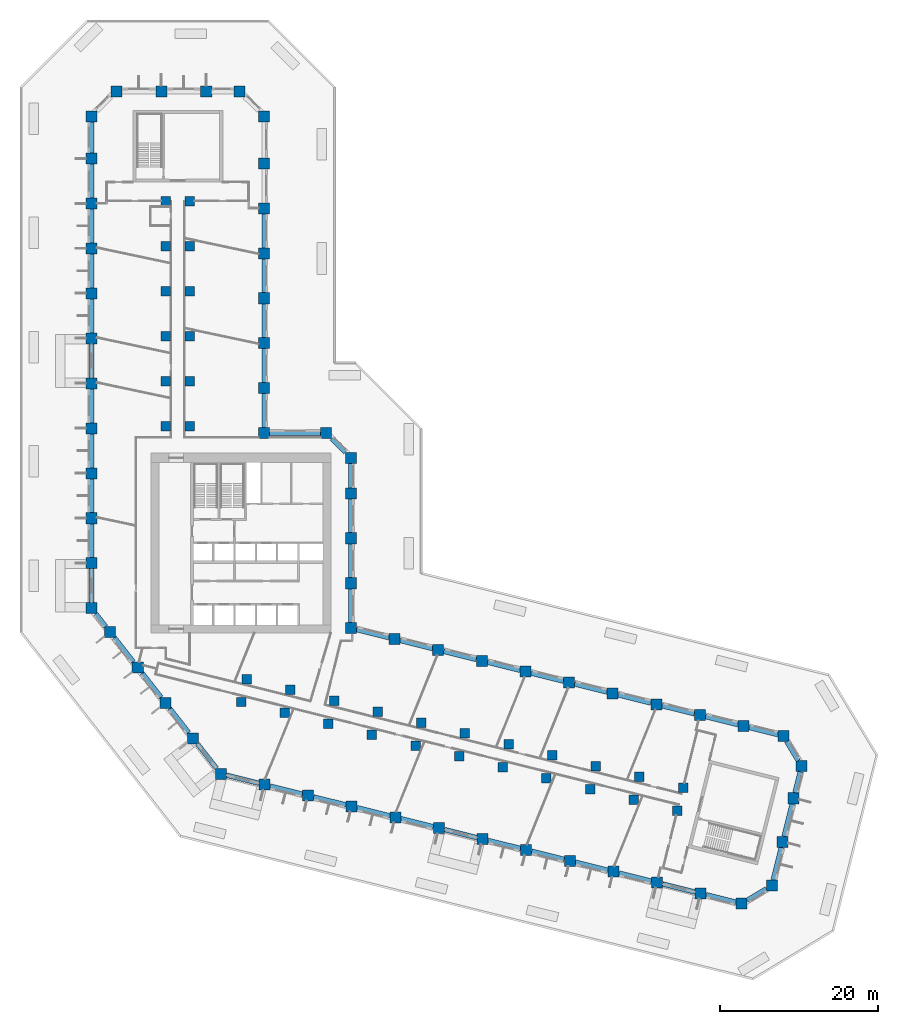
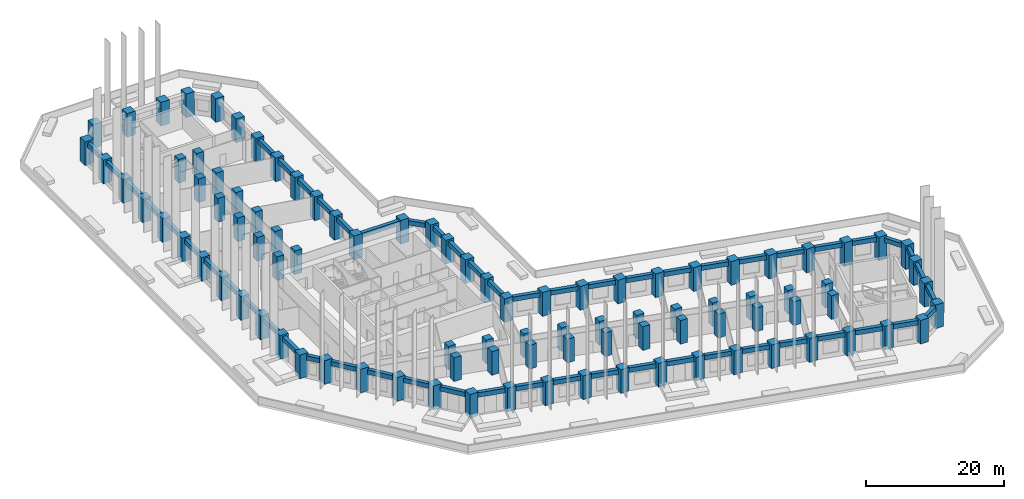
# One storey, part 1 of 13: 95 columns, 54 beams.
"""IFC4 building model written with IfcOpenShell, lengths in metres."""

import ifcopenshell
import ifcopenshell.guid

model = None  # the IFC model being written
_history = None  # IfcOwnerHistory: only IFC2X3 demands one
_inside = {}  # id of a spatial element -> (the spatial element, [elements in it])
_under = {}  # id of a project, library or spatial element -> (it, [spatial elements below it])
_declared = {}  # id of a project -> (the project, [libraries it declares])
_typed = {}  # id of a type object -> (the type object, [elements of that type])
_made_of = {}  # id of a material, layer set ... -> (it, [elements and type objects made of it])


def new_model(schema):
    """Start an empty IFC model of exactly this schema.

    Asked for "IFC4X3", IfcOpenShell would pick the latest addendum, in which some entities
    have other attributes; the version numbers below select the first issue.
    IFC2X3 requires an IfcOwnerHistory on every rooted entity: one is made here for all.
    """
    global model, _history
    if schema == "IFC4X3":
        model = ifcopenshell.file(schema_version=(4, 3, 0, 0))
    else:
        model = ifcopenshell.file(schema=schema)
    _inside.clear()
    _under.clear()
    _declared.clear()
    _typed.clear()
    _made_of.clear()
    _history = None
    if model.schema == "IFC2X3":
        org = make("IfcOrganization", Name="unknown")
        user = make(
            "IfcPersonAndOrganization",
            ThePerson=make("IfcPerson", FamilyName="unknown"),
            TheOrganization=org,
        )
        app = make(
            "IfcApplication",
            ApplicationDeveloper=org,
            Version="unknown",
            ApplicationFullName="unknown",
            ApplicationIdentifier="unknown",
        )
        _history = make(
            "IfcOwnerHistory",
            OwningUser=user,
            OwningApplication=app,
            ChangeAction="ADDED",
            CreationDate=0,
        )
    return model


def make(cls, **values):
    """One entity of the class cls with the attributes given. An attribute that is None is left unset."""
    return model.create_entity(
        cls, **{name: value for name, value in values.items() if value is not None}
    )


def rooted(cls, **values):
    """An entity with a GlobalId (a new one), such as an element, a storey or a relation."""
    return make(cls, GlobalId=ifcopenshell.guid.new(), OwnerHistory=_history, **values)


def si_unit(unit_type, name, prefix=None):
    """IfcSIUnit, for example si_unit("LENGTHUNIT", "METRE", prefix="MILLI")."""
    return make("IfcSIUnit", UnitType=unit_type, Prefix=prefix, Name=name)


def assignment(units):
    """IfcUnitAssignment: the units of a project."""
    return None if units is None else make("IfcUnitAssignment", Units=units)


def point(xyz):
    """IfcCartesianPoint."""
    return None if xyz is None else make("IfcCartesianPoint", Coordinates=xyz)


def direction(xyz):
    """IfcDirection."""
    return None if xyz is None else make("IfcDirection", DirectionRatios=xyz)


def frame(location, z_axis=None, x_axis=None):
    """IfcAxis2Placement3D, a coordinate frame: its origin and axes. An axis left out is left unset."""
    return make(
        "IfcAxis2Placement3D",
        Location=point(location),
        Axis=direction(z_axis),
        RefDirection=direction(x_axis),
    )


def frame_2d(location, x_axis=None):
    """IfcAxis2Placement2D, a coordinate frame in the plane: its origin and x axis."""
    return make(
        "IfcAxis2Placement2D", Location=point(location), RefDirection=direction(x_axis)
    )


def origin():
    """The frame at (0, 0, 0) with its axes left unset."""
    return frame((0.0, 0.0, 0.0))


def origin_2d():
    """The frame at (0, 0) in the plane with its x axis left unset."""
    return frame_2d((0.0, 0.0))


def place(relative_to, where):
    """IfcLocalPlacement: puts the frame where relative to a parent placement (None: the world)."""
    return make(
        "IfcLocalPlacement", PlacementRelTo=relative_to, RelativePlacement=where
    )


def context(
    kind, dimensions, precision=None, world=None, true_north=None, identifier=None
):
    """IfcGeometricRepresentationContext, for example the 3D "Model" context."""
    return make(
        "IfcGeometricRepresentationContext",
        ContextIdentifier=identifier,
        ContextType=kind,
        CoordinateSpaceDimension=dimensions,
        Precision=precision,
        WorldCoordinateSystem=world,
        TrueNorth=true_north,
    )


def subcontext(parent, identifier, kind, view, scale=None):
    """IfcGeometricRepresentationSubContext, for example "Body" below "Model"."""
    return make(
        "IfcGeometricRepresentationSubContext",
        ContextIdentifier=identifier,
        ContextType=kind,
        ParentContext=parent,
        TargetScale=scale,
        TargetView=view,
    )


def project(units=None, contexts=None):
    """IfcProject with its units and contexts."""
    return rooted(
        "IfcProject",
        Name="project",
        RepresentationContexts=contexts,
        UnitsInContext=assignment(units),
    )


def spatial(cls, under=None, at=None, **own):
    """A site, building, storey or space (cls), placed at a placement, below another one or the project."""
    s = rooted(cls, ObjectPlacement=at, **own)
    if under is not None:
        _under.setdefault(under.id(), (under, []))[1].append(s)
    return s


def profile(cls, at=None, kind="AREA", **sizes):
    """A parametric profile (cls). Its sizes go by their IFC names, for example OverallWidth=200.0."""
    return make(cls, ProfileType=kind, Position=at, **sizes)


def rectangle(**sizes):
    """IfcRectangleProfileDef."""
    return profile("IfcRectangleProfileDef", **sizes)


def extrude(swept, where, along, depth):
    """IfcExtrudedAreaSolid: the profile swept, set in the frame where, extruded along a direction by depth."""
    return make(
        "IfcExtrudedAreaSolid",
        SweptArea=swept,
        Position=where,
        ExtrudedDirection=direction(along),
        Depth=depth,
    )


def shape(context_of_items, identifier, shape_type, items):
    """IfcShapeRepresentation: the items that make up one representation, for example the "Body"."""
    return make(
        "IfcShapeRepresentation",
        ContextOfItems=context_of_items,
        RepresentationIdentifier=identifier,
        RepresentationType=shape_type,
        Items=items,
    )


def material(Name=None, Category=None):
    """IfcMaterial."""
    return make("IfcMaterial", Name=Name, Category=Category)


def material_profile(
    of_material, cross_section, Name=None, Category=None, Priority=None
):
    """IfcMaterialProfile: a cross section and its material."""
    return make(
        "IfcMaterialProfile",
        Name=Name,
        Material=of_material,
        Profile=cross_section,
        Priority=Priority,
        Category=Category,
    )


def profile_set(profiles, Name=None, composite=None):
    """IfcMaterialProfileSet."""
    return make(
        "IfcMaterialProfileSet",
        Name=Name,
        MaterialProfiles=profiles,
        CompositeProfile=composite,
    )


def made_of(thing, what):
    """Note that an element or type object is made of a material, layer set ...; save() writes the relation."""
    if what is not None:
        _made_of.setdefault(what.id(), (what, []))[1].append(thing)
    return thing


def type_object(cls, material=None, **own):
    """A type object (cls), such as IfcWallType, which elements share."""
    return made_of(rooted(cls, **own), material)


def element(
    cls,
    number,
    at=None,
    inside=None,
    cuts=None,
    type_object=None,
    material=None,
    context=None,
    identifier="Body",
    shape_type=None,
    held_by="IfcProductDefinitionShape",
    body=None,
    shapes=None,
    **own,
):
    """One element of the class cls, such as IfcWall. Its Tag is "e" and its number.

    at: its placement. inside: the storey or other place that contains it. cuts: it is an
    opening in that element (IfcRelVoidsElement). A single representation is given by context,
    identifier, shape_type and body (its items); several are given by shapes. held_by: the class
    of the entity that holds the representations. save() writes the other relations.
    """
    e = rooted(cls, Tag="e%d" % number, ObjectPlacement=at, **own)
    if body is not None:
        shapes = [shape(context, identifier, shape_type, body)]
    if shapes is not None:
        e.Representation = make(held_by, Representations=shapes)
    if inside is not None:
        _inside.setdefault(inside.id(), (inside, []))[1].append(e)
    if cuts is not None:
        rooted(
            "IfcRelVoidsElement", RelatingBuildingElement=cuts, RelatedOpeningElement=e
        )
    if type_object is not None:
        _typed.setdefault(type_object.id(), (type_object, []))[1].append(e)
    return made_of(e, material)


def aggregate(whole, parts):
    """IfcRelAggregates: a whole, such as a stair, and the parts it consists of."""
    return rooted("IfcRelAggregates", RelatingObject=whole, RelatedObjects=parts)


def save(model, path):
    """Write the relations noted so far, then the file.

    IfcRelAggregates (storeys below a building ...), IfcRelContainedInSpatialStructure (elements
    in a storey), IfcRelDefinesByType, IfcRelAssociatesMaterial and IfcRelDeclares: one each for
    every whole, place, type object, material and project.
    """
    for whole, parts in _under.values():
        aggregate(whole, parts)
    for where, things in _inside.values():
        rooted(
            "IfcRelContainedInSpatialStructure",
            RelatedElements=things,
            RelatingStructure=where,
        )
    for kind, things in _typed.values():
        rooted("IfcRelDefinesByType", RelatedObjects=things, RelatingType=kind)
    for what, things in _made_of.values():
        rooted("IfcRelAssociatesMaterial", RelatedObjects=things, RelatingMaterial=what)
    for by, libraries in _declared.values():
        rooted("IfcRelDeclares", RelatingContext=by, RelatedDefinitions=libraries)
    model.write(path)


model = new_model("IFC4")

# Units and contexts
model_context = context("Model", 3, precision=1e-05, world=origin(), true_north=direction((0.0, 1.0)))
body_context = subcontext(model_context, "Body", "Model", "MODEL_VIEW")
ifc_project = project(units=[si_unit("LENGTHUNIT", "METRE"), si_unit("AREAUNIT", "SQUARE_METRE"), si_unit("VOLUMEUNIT", "CUBIC_METRE"), si_unit("PLANEANGLEUNIT", "RADIAN"), si_unit("MASSUNIT", "GRAM", prefix="KILO")], contexts=[model_context])

# Site, building, storey
site_placement = place(None, origin())
site = spatial("IfcSite", under=ifc_project, at=site_placement, CompositionType="ELEMENT")
building_placement = place(site_placement, origin())
building = spatial("IfcBuilding", under=site, at=building_placement, Name="Meshkara Civic Tower", CompositionType="ELEMENT")
storey_placement = place(building_placement, frame((0.0, 0.0, 33.0)))
storey = spatial("IfcBuildingStorey", under=building, at=storey_placement, Name="L06", CompositionType="ELEMENT", Elevation=33.0)

# Columns
ifc_material_1 = material(Name="Concrete C80", Category="concrete")
ifc_material_profile_1 = material_profile(ifc_material_1, rectangle(XDim=1.199951171875, YDim=1.199951171875, at=origin_2d()))
ifc_profile_set_1 = profile_set([ifc_material_profile_1], Name="Concrete C80")
column_type_1 = type_object("IfcColumnType", Name="Interior column RC 1200x1200 C80", PredefinedType="COLUMN", material=ifc_profile_set_1)
for number, where, z_axis, x_axis, name in (
    (1, (9.89990234375, 40.35009765625, 0.0), (0.0, 0.0, 1.0), (1.0, 0.0, 0.0), "Column SA1-04 L06"),
    (2, (9.89990234375, 46.050048828125, 0.0), (0.0, 0.0, 1.0), (1.0, 0.0, 0.0), "Column SA1-05 L06"),
    (3, (9.89990234375, 51.75, 0.0), (0.0, 0.0, 1.0), (1.0, 0.0, 0.0), "Column SA1-06 L06"),
    (4, (9.89990234375, 57.449951171875, 0.0), (0.0, 0.0, 1.0), (1.0, 0.0, 0.0), "Column SA1-07 L06"),
    (5, (9.89990234375, 63.14990234375, 0.0), (0.0, 0.0, 1.0), (1.0, 0.0, 0.0), "Column SA1-08 L06"),
    (6, (9.89990234375, 68.85009765625, 0.0), (0.0, 0.0, 1.0), (1.0, 0.0, 0.0), "Column SA1-09 L06"),
    (7, (12.89990234375, 40.35009765625, 0.0), (0.0, 0.0, 1.0), (1.0, 0.0, 0.0), "Column SA2-04 L06"),
    (8, (12.89990234375, 46.050048828125, 0.0), (0.0, 0.0, 1.0), (1.0, 0.0, 0.0), "Column SA2-05 L06"),
    (9, (12.89990234375, 51.75, 0.0), (0.0, 0.0, 1.0), (1.0, 0.0, 0.0), "Column SA2-06 L06"),
    (10, (12.89990234375, 57.449951171875, 0.0), (0.0, 0.0, 1.0), (1.0, 0.0, 0.0), "Column SA2-07 L06"),
    (11, (12.89990234375, 63.14990234375, 0.0), (0.0, 0.0, 1.0), (1.0, 0.0, 0.0), "Column SA2-08 L06"),
    (12, (12.89990234375, 68.85009765625, 0.0), (0.0, 0.0, 1.0), (1.0, 0.0, 0.0), "Column SA2-09 L06"),
    (13, (19.424072265625, 5.360107421875, 0.0), (0.0, 0.0, 1.0), (1.0, 0.0, 0.0), "Column SB1-00 L06"),
    (14, (24.9541015625, 3.98095703125, 0.0), (0.0, 0.0, 1.0), (1.0, 0.0, 0.0), "Column SB1-01 L06"),
    (15, (30.485107421875, 2.60205078125, 0.0), (0.0, 0.0, 1.0), (1.0, 0.0, 0.0), "Column SB1-02 L06"),
    (16, (36.01611328125, 1.222900390625, 0.0), (0.0, 0.0, 1.0), (1.0, 0.0, 0.0), "Column SB1-03 L06"),
    (17, (41.5458984375, -0.156005859375, 0.0), (0.0, 0.0, 1.0), (1.0, 0.0, 0.0), "Column SB1-04 L06"),
    (18, (47.076904296875, -1.534912109375, 0.0), (0.0, 0.0, 1.0), (1.0, 0.0, 0.0), "Column SB1-05 L06"),
    (19, (52.60791015625, -2.9140625, 0.0), (0.0, 0.0, 1.0), (1.0, 0.0, 0.0), "Column SB1-06 L06"),
    (20, (58.138916015625, -4.2919921875, 0.0), (0.0, 0.0, 1.0), (1.0, 0.0, 0.0), "Column SB1-07 L06"),
    (21, (63.6689453125, -5.6708984375, 0.0), (0.0, 0.0, 1.0), (1.0, 0.0, 0.0), "Column SB1-08 L06"),
    (22, (69.199951171875, -7.050048828125, 0.0), (0.0, 0.0, 1.0), (1.0, 0.0, 0.0), "Column SB1-09 L06"),
    (23, (74.73095703125, -8.428955078125, 0.0), (0.0, 0.0, 1.0), (1.0, 0.0, 0.0), "Column SB1-10 L06"),
    (24, (20.14892578125, 8.27099609375, 0.0), (0.0, 0.0, 1.0), (1.0, 0.0, 0.0), "Column SB2-00 L06"),
    (25, (25.679931640625, 6.89208984375, 0.0), (0.0, 0.0, 1.0), (1.0, 0.0, 0.0), "Column SB2-01 L06"),
    (26, (31.2109375, 5.512939453125, 0.0), (0.0, 0.0, 1.0), (1.0, 0.0, 0.0), "Column SB2-02 L06"),
    (27, (36.741943359375, 4.134033203125, 0.0), (0.0, 0.0, 1.0), (1.0, 0.0, 0.0), "Column SB2-03 L06"),
    (28, (42.27197265625, 2.7548828125, 0.0), (0.0, 0.0, 1.0), (1.0, 0.0, 0.0), "Column SB2-04 L06"),
    (29, (47.802978515625, 1.3759765625, 0.0), (0.0, 0.0, 1.0), (1.0, 0.0, 0.0), "Column SB2-05 L06"),
    (30, (53.333984375, -0.0029296875, 0.0), (0.0, 0.0, 1.0), (1.0, 0.0, 0.0), "Column SB2-06 L06"),
    (31, (58.864013671875, -1.382080078125, 0.0), (0.0, 0.0, 1.0), (1.0, 0.0, 0.0), "Column SB2-07 L06"),
    (32, (64.39501953125, -2.760986328125, 0.0), (0.0, 0.0, 1.0), (1.0, 0.0, 0.0), "Column SB2-08 L06"),
    (33, (69.926025390625, -4.139892578125, 0.0), (0.0, 0.0, 1.0), (1.0, 0.0, 0.0), "Column SB2-09 L06"),
    (34, (75.4560546875, -5.51806640625, 0.0), (0.0, 0.0, 1.0), (1.0, 0.0, 0.0), "Column SB2-10 L06"),
):
    element("IfcColumn", number, at=place(storey_placement, frame(where, z_axis=z_axis, x_axis=x_axis)), inside=storey, type_object=column_type_1, Name=name, PredefinedType="COLUMN", context=body_context, shape_type="SweptSolid", body=[
        extrude(rectangle(XDim=1.199951171875, YDim=1.199951171875, at=origin_2d()), origin(), (0.0, 0.0, 1.0), 4.199951171875),
    ])
ifc_material_2 = material(Name="Concrete C80", Category="concrete")
ifc_material_profile_2 = material_profile(ifc_material_2, rectangle(XDim=1.39990234375, YDim=1.39990234375, at=origin_2d()))
ifc_profile_set_2 = profile_set([ifc_material_profile_2], Name="Concrete C80")
column_type_2 = type_object("IfcColumnType", Name="Perimeter column RC 1400x1400 C80", PredefinedType="COLUMN", material=ifc_profile_set_2)
for number, where, z_axis, x_axis, name in (
    (35, (33.35009765625, 14.718994140625, 0.0), (0.0, 0.0, 1.0), (1.0, 0.0, 0.0), "Column HE00 L06"),
    (36, (33.35009765625, 20.4189453125, 0.0), (0.0, 0.0, 1.0), (1.0, 0.0, 0.0), "Column HE01 L06"),
    (37, (33.35009765625, 26.118896484375, 0.0), (0.0, 0.0, 1.0), (1.0, 0.0, 0.0), "Column HE02 L06"),
    (38, (33.35009765625, 31.819091796875, 0.0), (0.0, 0.0, 1.0), (1.0, 0.0, 0.0), "Column HE03 L06"),
    (39, (33.35009765625, 36.2939453125, 0.0), (0.0, 0.0, 1.0), (1.0, 0.0, 0.0), "Column HEE L06"),
    (40, (30.194091796875, 39.449951171875, 0.0), (0.0, 0.0, 1.0), (1.0, 0.0, 0.0), "Column HCeE L06"),
    (41, (22.35009765625, 39.449951171875, 0.0), (0.0, 0.0, 1.0), (1.0, 0.0, 0.0), "Column HN00 L06"),
    (42, (22.35009765625, 45.14990234375, 0.0), (0.0, 0.0, 1.0), (1.0, 0.0, 0.0), "Column AE01 L06"),
    (43, (22.35009765625, 50.85009765625, 0.0), (0.0, 0.0, 1.0), (1.0, 0.0, 0.0), "Column AE02 L06"),
    (44, (22.35009765625, 56.550048828125, 0.0), (0.0, 0.0, 1.0), (1.0, 0.0, 0.0), "Column AE03 L06"),
    (45, (22.35009765625, 62.25, 0.0), (0.0, 0.0, 1.0), (1.0, 0.0, 0.0), "Column AE04 L06"),
    (46, (22.35009765625, 67.949951171875, 0.0), (0.0, 0.0, 1.0), (1.0, 0.0, 0.0), "Column AE05 L06"),
    (47, (22.35009765625, 73.64990234375, 0.0), (0.0, 0.0, 1.0), (1.0, 0.0, 0.0), "Column AE06 L06"),
    (48, (22.35009765625, 79.614013671875, 0.0), (0.0, 0.0, 1.0), (1.0, 0.0, 0.0), "Column AEE L06"),
    (49, (19.194091796875, 82.77001953125, 0.0), (0.0, 0.0, 1.0), (1.0, 0.0, 0.0), "Column ATiE L06"),
    (50, (3.60595703125, 82.77001953125, 0.0), (0.0, 0.0, 1.0), (1.0, 0.0, 0.0), "Column AT00 L06"),
    (51, (9.305908203125, 82.77001953125, 0.0), (0.0, 0.0, 1.0), (1.0, 0.0, 0.0), "Column AT01 L06"),
    (52, (15.006103515625, 82.77001953125, 0.0), (0.0, 0.0, 1.0), (1.0, 0.0, 0.0), "Column AT02 L06"),
    (53, (0.449951171875, 79.614013671875, 0.0), (0.0, 0.0, 1.0), (1.0, 0.0, 0.0), "Column ATo00 L06"),
    (54, (0.449951171875, 17.2548828125, 0.0), (0.0, 0.0, 1.0), (1.0, 0.0, 0.0), "Column AW00 L06"),
    (55, (0.449951171875, 22.955078125, 0.0), (0.0, 0.0, 1.0), (1.0, 0.0, 0.0), "Column AW01 L06"),
    (56, (0.449951171875, 28.655029296875, 0.0), (0.0, 0.0, 1.0), (1.0, 0.0, 0.0), "Column AW02 L06"),
    (57, (0.449951171875, 34.35498046875, 0.0), (0.0, 0.0, 1.0), (1.0, 0.0, 0.0), "Column AW03 L06"),
    (58, (0.449951171875, 40.054931640625, 0.0), (0.0, 0.0, 1.0), (1.0, 0.0, 0.0), "Column AW04 L06"),
    (59, (0.449951171875, 45.7548828125, 0.0), (0.0, 0.0, 1.0), (1.0, 0.0, 0.0), "Column AW05 L06"),
    (60, (0.449951171875, 51.455078125, 0.0), (0.0, 0.0, 1.0), (1.0, 0.0, 0.0), "Column AW06 L06"),
    (61, (0.449951171875, 57.155029296875, 0.0), (0.0, 0.0, 1.0), (1.0, 0.0, 0.0), "Column AW07 L06"),
    (62, (0.449951171875, 62.85498046875, 0.0), (0.0, 0.0, 1.0), (1.0, 0.0, 0.0), "Column AW08 L06"),
    (63, (0.449951171875, 68.554931640625, 0.0), (0.0, 0.0, 1.0), (1.0, 0.0, 0.0), "Column AW09 L06"),
    (64, (0.449951171875, 74.2548828125, 0.0), (0.0, 0.0, 1.0), (1.0, 0.0, 0.0), "Column AW10 L06"),
    (65, (16.85107421875, -3.738037109375, 0.0), (0.0, 0.0, 1.0), (1.0, 0.0, 0.0), "Column BOW00 L06"),
    (66, (13.342041015625, 0.75390625, 0.0), (0.0, 0.0, 1.0), (1.0, 0.0, 0.0), "Column BOW01 L06"),
    (67, (9.8330078125, 5.2451171875, 0.0), (0.0, 0.0, 1.0), (1.0, 0.0, 0.0), "Column BOW02 L06"),
    (68, (6.322998046875, 9.737060546875, 0.0), (0.0, 0.0, 1.0), (1.0, 0.0, 0.0), "Column BOW03 L06"),
    (69, (2.81396484375, 14.22900390625, 0.0), (0.0, 0.0, 1.0), (1.0, 0.0, 0.0), "Column BOW04 L06"),
    (70, (22.382080078125, -5.116943359375, 0.0), (0.0, 0.0, 1.0), (1.0, 0.0, 0.0), "Column BS01 L06"),
    (71, (27.912109375, -6.49609375, 0.0), (0.0, 0.0, 1.0), (1.0, 0.0, 0.0), "Column BS02 L06"),
    (72, (33.443115234375, -7.875, 0.0), (0.0, 0.0, 1.0), (1.0, 0.0, 0.0), "Column BS03 L06"),
    (73, (38.97412109375, -9.25390625, 0.0), (0.0, 0.0, 1.0), (1.0, 0.0, 0.0), "Column BS04 L06"),
    (74, (44.5048828125, -10.632080078125, 0.0), (0.0, 0.0, 1.0), (1.0, 0.0, 0.0), "Column BS05 L06"),
    (75, (50.034912109375, -12.010986328125, 0.0), (0.0, 0.0, 1.0), (1.0, 0.0, 0.0), "Column BS06 L06"),
    (76, (55.56591796875, -13.389892578125, 0.0), (0.0, 0.0, 1.0), (1.0, 0.0, 0.0), "Column BS07 L06"),
    (77, (61.096923828125, -14.76904296875, 0.0), (0.0, 0.0, 1.0), (1.0, 0.0, 0.0), "Column BS08 L06"),
    (78, (66.626953125, -16.14794921875, 0.0), (0.0, 0.0, 1.0), (1.0, 0.0, 0.0), "Column BS09 L06"),
    (79, (72.157958984375, -17.527099609375, 0.0), (0.0, 0.0, 1.0), (1.0, 0.0, 0.0), "Column BS10 L06"),
    (80, (77.68896484375, -18.906005859375, 0.0), (0.0, 0.0, 1.0), (1.0, 0.0, 0.0), "Column BS11 L06"),
    (81, (82.887939453125, -20.201904296875, 0.0), (0.0, 0.0, 1.0), (1.0, 0.0, 0.0), "Column BSE L06"),
    (82, (86.714111328125, -17.903076171875, 0.0), (0.0, 0.0, 1.0), (1.0, 0.0, 0.0), "Column BToE L06"),
    (83, (88.093017578125, -12.3720703125, 0.0), (0.0, 0.0, 1.0), (1.0, 0.0, 0.0), "Column BT01 L06"),
    (84, (89.471923828125, -6.842041015625, 0.0), (0.0, 0.0, 1.0), (1.0, 0.0, 0.0), "Column BT02 L06"),
    (85, (90.485107421875, -2.779052734375, 0.0), (0.0, 0.0, 1.0), (1.0, 0.0, 0.0), "Column BTE L06"),
    (86, (88.18603515625, 1.0458984375, 0.0), (0.0, 0.0, 1.0), (1.0, 0.0, 0.0), "Column BTi00 L06"),
    (87, (38.881103515625, 13.340087890625, 0.0), (0.0, 0.0, 1.0), (1.0, 0.0, 0.0), "Column BN01 L06"),
    (88, (44.410888671875, 11.9609375, 0.0), (0.0, 0.0, 1.0), (1.0, 0.0, 0.0), "Column BN02 L06"),
    (89, (49.94189453125, 10.58203125, 0.0), (0.0, 0.0, 1.0), (1.0, 0.0, 0.0), "Column BN03 L06"),
    (90, (55.472900390625, 9.202880859375, 0.0), (0.0, 0.0, 1.0), (1.0, 0.0, 0.0), "Column BN04 L06"),
    (91, (61.0029296875, 7.823974609375, 0.0), (0.0, 0.0, 1.0), (1.0, 0.0, 0.0), "Column BN05 L06"),
    (92, (66.533935546875, 6.445068359375, 0.0), (0.0, 0.0, 1.0), (1.0, 0.0, 0.0), "Column BN06 L06"),
    (93, (72.06494140625, 5.06591796875, 0.0), (0.0, 0.0, 1.0), (1.0, 0.0, 0.0), "Column BN07 L06"),
    (94, (77.594970703125, 3.68701171875, 0.0), (0.0, 0.0, 1.0), (1.0, 0.0, 0.0), "Column BN08 L06"),
    (95, (83.1259765625, 2.30810546875, 0.0), (0.0, 0.0, 1.0), (1.0, 0.0, 0.0), "Column BN09 L06"),
):
    element("IfcColumn", number, at=place(storey_placement, frame(where, z_axis=z_axis, x_axis=x_axis)), inside=storey, type_object=column_type_2, Name=name, PredefinedType="COLUMN", context=body_context, shape_type="SweptSolid", body=[
        extrude(rectangle(XDim=1.39990234375, YDim=1.39990234375, at=origin_2d()), origin(), (0.0, 0.0, 1.0), 4.199951171875),
    ])

# Beams
ifc_material_3 = material(Name="Concrete C70", Category="concrete")
ifc_material_profile_3 = material_profile(ifc_material_3, rectangle(XDim=0.60009765625, YDim=0.800048828125, at=origin_2d()))
ifc_profile_set_3 = profile_set([ifc_material_profile_3], Name="Concrete C70")
beam_type = type_object("IfcBeamType", Name="Spandrel beam RC 600x800 C70", PredefinedType="BEAM", material=ifc_profile_set_3)
beam_1_placement = place(storey_placement, frame((82.430908203125, 2.481201171875, 3.5), z_axis=(-0.97029374225, 0.241929852955, 0.0), x_axis=(-0.241929852955, -0.97029374225, 0.0)))
element("IfcBeam", 96, at=beam_1_placement, inside=storey, type_object=beam_type, Name="Spandrel beam BN08-BN09", PredefinedType="BEAM", context=body_context, shape_type="SweptSolid", body=[
    extrude(rectangle(XDim=0.60009765625, YDim=0.800048828125, at=origin_2d()), origin(), (0.0, 0.0, 1.0), 4.267578125),
])
beam_2_placement = place(storey_placement, frame((76.89990234375, 3.8603515625, 3.5), z_axis=(-0.970293777887, 0.241929710026, 0.0), x_axis=(-0.241929710026, -0.970293777887, 0.0)))
element("IfcBeam", 97, at=beam_2_placement, inside=storey, type_object=beam_type, Name="Spandrel beam BN07-BN08", PredefinedType="BEAM", context=body_context, shape_type="SweptSolid", body=[
    extrude(rectangle(XDim=0.60009765625, YDim=0.800048828125, at=origin_2d()), origin(), (0.0, 0.0, 1.0), 4.2666015625),
])
for number, where, z_axis, x_axis, name in (
    (98, (71.369873046875, 5.2392578125, 3.5), (-0.97029374225, 0.241929852955, 0.0), (-0.241929852955, -0.97029374225, 0.0), "Spandrel beam BN06-BN07"),
    (99, (65.8388671875, 6.618408203125, 3.5), (-0.970307169965, 0.241875992843, 0.0), (-0.241875992843, -0.970307169965, 0.0), "Spandrel beam BN05-BN06"),
):
    element("IfcBeam", number, at=place(storey_placement, frame(where, z_axis=z_axis, x_axis=x_axis)), inside=storey, type_object=beam_type, Name=name, PredefinedType="BEAM", context=body_context, shape_type="SweptSolid", body=[
        extrude(rectangle(XDim=0.60009765625, YDim=0.800048828125, at=origin_2d()), origin(), (0.0, 0.0, 1.0), 4.267578125),
    ])
beam_3_placement = place(storey_placement, frame((60.307861328125, 7.997314453125, 3.5), z_axis=(-0.970276993533, 0.241997016139, 0.0), x_axis=(-0.241997016139, -0.970276993533, 0.0)))
element("IfcBeam", 100, at=beam_3_placement, inside=storey, type_object=beam_type, Name="Spandrel beam BN04-BN05", PredefinedType="BEAM", context=body_context, shape_type="SweptSolid", body=[
    extrude(rectangle(XDim=0.60009765625, YDim=0.800048828125, at=origin_2d()), origin(), (0.0, 0.0, 1.0), 4.266357421875),
])
for number, where, z_axis, x_axis, name in (
    (101, (54.77783203125, 9.376220703125, 3.5), (-0.970290393622, 0.241943282702, 0.0), (-0.241943282702, -0.970290393622, 0.0), "Spandrel beam BN03-BN04"),
    (102, (49.246826171875, 10.75537109375, 3.5), (-0.970303822782, 0.241889419972, 0.0), (-0.241889419972, -0.970303822782, 0.0), "Spandrel beam BN02-BN03"),
):
    element("IfcBeam", number, at=place(storey_placement, frame(where, z_axis=z_axis, x_axis=x_axis)), inside=storey, type_object=beam_type, Name=name, PredefinedType="BEAM", context=body_context, shape_type="SweptSolid", body=[
        extrude(rectangle(XDim=0.60009765625, YDim=0.800048828125, at=origin_2d()), origin(), (0.0, 0.0, 1.0), 4.267333984375),
    ])
beam_4_placement = place(storey_placement, frame((43.7158203125, 12.13427734375, 3.5), z_axis=(-0.970276993533, 0.241997016139, 0.0), x_axis=(-0.241997016139, -0.970276993533, 0.0)))
element("IfcBeam", 103, at=beam_4_placement, inside=storey, type_object=beam_type, Name="Spandrel beam BN01-BN02", PredefinedType="BEAM", context=body_context, shape_type="SweptSolid", body=[
    extrude(rectangle(XDim=0.60009765625, YDim=0.800048828125, at=origin_2d()), origin(), (0.0, 0.0, 1.0), 4.266357421875),
])
beam_5_placement = place(storey_placement, frame((38.185791015625, 13.51318359375, 3.5), z_axis=(-0.970290393622, 0.241943282702, 0.0), x_axis=(-0.241943282702, -0.970290393622, 0.0)))
element("IfcBeam", 104, at=beam_5_placement, inside=storey, type_object=beam_type, Name="Spandrel beam BN01-HE00", PredefinedType="BEAM", context=body_context, shape_type="SweptSolid", body=[
    extrude(rectangle(XDim=0.60009765625, YDim=0.800048828125, at=origin_2d()), origin(), (0.0, 0.0, 1.0), 4.267333984375),
])
for number, where, z_axis, x_axis, name in (
    (105, (33.35009765625, 15.4140625, 3.5), (0.0, 1.0, 0.0), (-1.0, 0.0, 0.0), "Spandrel beam HE00-HE01"),
    (106, (33.35009765625, 21.114013671875, 3.5), (0.0, 1.0, 0.0), (-1.0, 0.0, 0.0), "Spandrel beam HE01-HE02"),
    (107, (33.35009765625, 26.81396484375, 3.5), (0.0, 1.0, 0.0), (-1.0, 0.0, 0.0), "Spandrel beam HE02-HE03"),
):
    element("IfcBeam", number, at=place(storey_placement, frame(where, z_axis=z_axis, x_axis=x_axis)), inside=storey, type_object=beam_type, Name=name, PredefinedType="BEAM", context=body_context, shape_type="SweptSolid", body=[
        extrude(rectangle(XDim=0.60009765625, YDim=0.800048828125, at=origin_2d()), origin(), (0.0, 0.0, 1.0), 4.31005859375),
    ])
beam_6_placement = place(storey_placement, frame((33.35009765625, 32.513916015625, 3.5), z_axis=(0.0, 1.0, 0.0), x_axis=(-1.0, 0.0, 0.0)))
element("IfcBeam", 108, at=beam_6_placement, inside=storey, type_object=beam_type, Name="Spandrel beam HE03-HEE", PredefinedType="BEAM", context=body_context, shape_type="SweptSolid", body=[
    extrude(rectangle(XDim=0.60009765625, YDim=0.800048828125, at=origin_2d()), origin(), (0.0, 0.0, 1.0), 3.085205078125),
])
beam_7_placement = place(storey_placement, frame((32.653564453125, 36.990478515625, 3.5), z_axis=(-0.707155737934, 0.70705782105, 0.0), x_axis=(-0.70705782105, -0.707155737934, 0.0)))
element("IfcBeam", 109, at=beam_7_placement, inside=storey, type_object=beam_type, Name="Spandrel beam HCeE-HEE", PredefinedType="BEAM", context=body_context, shape_type="SweptSolid", body=[
    extrude(rectangle(XDim=0.60009765625, YDim=0.800048828125, at=origin_2d()), origin(), (0.0, 0.0, 1.0), 2.493408203125),
])
beam_8_placement = place(storey_placement, frame((29.4990234375, 39.449951171875, 3.5), z_axis=(-1.0, 0.0, 0.0), x_axis=(0.0, -1.0, 0.0)))
element("IfcBeam", 110, at=beam_8_placement, inside=storey, type_object=beam_type, Name="Spandrel beam HCeE-HN00", PredefinedType="BEAM", context=body_context, shape_type="SweptSolid", body=[
    extrude(rectangle(XDim=0.60009765625, YDim=0.800048828125, at=origin_2d()), origin(), (0.0, 0.0, 1.0), 6.4541015625),
])
for number, where, z_axis, x_axis, name in (
    (111, (22.35009765625, 40.14501953125, 3.5), (0.0, 1.0, 0.0), (-1.0, 0.0, 0.0), "Spandrel beam AE01-HN00"),
    (112, (22.35009765625, 45.844970703125, 3.5), (0.0, 1.0, 0.0), (-1.0, 0.0, 0.0), "Spandrel beam AE01-AE02"),
    (113, (22.35009765625, 51.544921875, 3.5), (0.0, 1.0, 0.0), (-1.0, 0.0, 0.0), "Spandrel beam AE02-AE03"),
):
    element("IfcBeam", number, at=place(storey_placement, frame(where, z_axis=z_axis, x_axis=x_axis)), inside=storey, type_object=beam_type, Name=name, PredefinedType="BEAM", context=body_context, shape_type="SweptSolid", body=[
        extrude(rectangle(XDim=0.60009765625, YDim=0.800048828125, at=origin_2d()), origin(), (0.0, 0.0, 1.0), 4.31005859375),
    ])
for number, where, z_axis, x_axis, name in (
    (114, (22.35009765625, 57.2451171875, 3.5), (0.0, 1.0, 0.0), (-1.0, 0.0, 0.0), "Spandrel beam AE03-AE04"),
    (115, (22.35009765625, 62.945068359375, 3.5), (0.0, 1.0, 0.0), (-1.0, 0.0, 0.0), "Spandrel beam AE04-AE05"),
):
    element("IfcBeam", number, at=place(storey_placement, frame(where, z_axis=z_axis, x_axis=x_axis)), inside=storey, type_object=beam_type, Name=name, PredefinedType="BEAM", context=body_context, shape_type="SweptSolid", body=[
        extrude(rectangle(XDim=0.60009765625, YDim=0.800048828125, at=origin_2d()), origin(), (0.0, 0.0, 1.0), 4.309814453125),
    ])
beam_9_placement = place(storey_placement, frame((0.449951171875, 78.9189453125, 3.5), z_axis=(0.0, -1.0, 0.0), x_axis=(1.0, 0.0, 0.0)))
element("IfcBeam", 116, at=beam_9_placement, inside=storey, type_object=beam_type, Name="Spandrel beam ATo00-AW10", PredefinedType="BEAM", context=body_context, shape_type="SweptSolid", body=[
    extrude(rectangle(XDim=0.60009765625, YDim=0.800048828125, at=origin_2d()), origin(), (0.0, 0.0, 1.0), 3.968994140625),
])
for number, where, z_axis, x_axis, name in (
    (117, (0.449951171875, 73.56005859375, 3.5), (0.0, -1.0, 0.0), (1.0, 0.0, 0.0), "Spandrel beam AW09-AW10"),
    (118, (0.449951171875, 67.860107421875, 3.5), (0.0, -1.0, 0.0), (1.0, 0.0, 0.0), "Spandrel beam AW08-AW09"),
):
    element("IfcBeam", number, at=place(storey_placement, frame(where, z_axis=z_axis, x_axis=x_axis)), inside=storey, type_object=beam_type, Name=name, PredefinedType="BEAM", context=body_context, shape_type="SweptSolid", body=[
        extrude(rectangle(XDim=0.60009765625, YDim=0.800048828125, at=origin_2d()), origin(), (0.0, 0.0, 1.0), 4.31005859375),
    ])
beam_10_placement = place(storey_placement, frame((0.449951171875, 62.159912109375, 3.5), z_axis=(0.0, -1.0, 0.0), x_axis=(1.0, 0.0, 0.0)))
element("IfcBeam", 119, at=beam_10_placement, inside=storey, type_object=beam_type, Name="Spandrel beam AW07-AW08", PredefinedType="BEAM", context=body_context, shape_type="SweptSolid", body=[
    extrude(rectangle(XDim=0.60009765625, YDim=0.800048828125, at=origin_2d()), origin(), (0.0, 0.0, 1.0), 4.309814453125),
])
for number, where, z_axis, x_axis, name in (
    (120, (0.449951171875, 56.4599609375, 3.5), (0.0, -1.0, 0.0), (1.0, 0.0, 0.0), "Spandrel beam AW06-AW07"),
    (121, (0.449951171875, 50.760009765625, 3.5), (0.0, -1.0, 0.0), (1.0, 0.0, 0.0), "Spandrel beam AW05-AW06"),
    (122, (0.449951171875, 45.06005859375, 3.5), (0.0, -1.0, 0.0), (1.0, 0.0, 0.0), "Spandrel beam AW04-AW05"),
    (123, (0.449951171875, 39.360107421875, 3.5), (0.0, -1.0, 0.0), (1.0, 0.0, 0.0), "Spandrel beam AW03-AW04"),
):
    element("IfcBeam", number, at=place(storey_placement, frame(where, z_axis=z_axis, x_axis=x_axis)), inside=storey, type_object=beam_type, Name=name, PredefinedType="BEAM", context=body_context, shape_type="SweptSolid", body=[
        extrude(rectangle(XDim=0.60009765625, YDim=0.800048828125, at=origin_2d()), origin(), (0.0, 0.0, 1.0), 4.31005859375),
    ])
beam_11_placement = place(storey_placement, frame((0.449951171875, 33.659912109375, 3.5), z_axis=(0.0, -1.0, 0.0), x_axis=(1.0, 0.0, 0.0)))
element("IfcBeam", 124, at=beam_11_placement, inside=storey, type_object=beam_type, Name="Spandrel beam AW02-AW03", PredefinedType="BEAM", context=body_context, shape_type="SweptSolid", body=[
    extrude(rectangle(XDim=0.60009765625, YDim=0.800048828125, at=origin_2d()), origin(), (0.0, 0.0, 1.0), 4.309814453125),
])
for number, where, z_axis, x_axis, name in (
    (125, (0.449951171875, 27.9599609375, 3.5), (0.0, -1.0, 0.0), (1.0, 0.0, 0.0), "Spandrel beam AW01-AW02"),
    (126, (0.449951171875, 22.260009765625, 3.5), (0.0, -1.0, 0.0), (1.0, 0.0, 0.0), "Spandrel beam AW00-AW01"),
):
    element("IfcBeam", number, at=place(storey_placement, frame(where, z_axis=z_axis, x_axis=x_axis)), inside=storey, type_object=beam_type, Name=name, PredefinedType="BEAM", context=body_context, shape_type="SweptSolid", body=[
        extrude(rectangle(XDim=0.60009765625, YDim=0.800048828125, at=origin_2d()), origin(), (0.0, 0.0, 1.0), 4.31005859375),
    ])
beam_12_placement = place(storey_placement, frame((0.993896484375, 16.558837890625, 3.5), z_axis=(0.615634901283, -0.788031514803, 0.0), x_axis=(0.788031514803, 0.615634901283, 0.0)))
element("IfcBeam", 127, at=beam_12_placement, inside=storey, type_object=beam_type, Name="Spandrel beam AW00-BOW04", PredefinedType="BEAM", context=body_context, shape_type="SweptSolid", body=[
    extrude(rectangle(XDim=0.60009765625, YDim=0.800048828125, at=origin_2d()), origin(), (0.0, 0.0, 1.0), 2.0732421875),
])
beam_13_placement = place(storey_placement, frame((3.357666015625, 13.532958984375, 3.5), z_axis=(0.615623566685, -0.788040369614, 0.0), x_axis=(0.788040369614, 0.615623566685, 0.0)))
element("IfcBeam", 128, at=beam_13_placement, inside=storey, type_object=beam_type, Name="Spandrel beam BOW03-BOW04", PredefinedType="BEAM", context=body_context, shape_type="SweptSolid", body=[
    extrude(rectangle(XDim=0.60009765625, YDim=0.800048828125, at=origin_2d()), origin(), (0.0, 0.0, 1.0), 3.93359375),
])
beam_14_placement = place(storey_placement, frame((6.866943359375, 9.041015625, 3.5), z_axis=(0.61570064363, -0.787980150406, 0.0), x_axis=(0.787980150406, 0.61570064363, 0.0)))
element("IfcBeam", 129, at=beam_14_placement, inside=storey, type_object=beam_type, Name="Spandrel beam BOW02-BOW03", PredefinedType="BEAM", context=body_context, shape_type="SweptSolid", body=[
    extrude(rectangle(XDim=0.60009765625, YDim=0.800048828125, at=origin_2d()), origin(), (0.0, 0.0, 1.0), 3.933837890625),
])
beam_15_placement = place(storey_placement, frame((10.376953125, 4.548828125, 3.5), z_axis=(0.615697051917, -0.787982956834, 0.0), x_axis=(0.787982956834, 0.615697051917, 0.0)))
element("IfcBeam", 130, at=beam_15_placement, inside=storey, type_object=beam_type, Name="Spandrel beam BOW01-BOW02", PredefinedType="BEAM", context=body_context, shape_type="SweptSolid", body=[
    extrude(rectangle(XDim=0.60009765625, YDim=0.800048828125, at=origin_2d()), origin(), (0.0, 0.0, 1.0), 3.932373046875),
])
beam_16_placement = place(storey_placement, frame((13.8857421875, 0.057861328125, 3.5), z_axis=(0.615623566685, -0.788040369614, 0.0), x_axis=(0.788040369614, 0.615623566685, 0.0)))
element("IfcBeam", 131, at=beam_16_placement, inside=storey, type_object=beam_type, Name="Spandrel beam BOW00-BOW01", PredefinedType="BEAM", context=body_context, shape_type="SweptSolid", body=[
    extrude(rectangle(XDim=0.60009765625, YDim=0.800048828125, at=origin_2d()), origin(), (0.0, 0.0, 1.0), 3.93359375),
])
beam_17_placement = place(storey_placement, frame((17.546142578125, -3.911376953125, 3.5), z_axis=(0.970307169965, -0.241875992843, 0.0), x_axis=(0.241875992843, 0.970307169965, 0.0)))
element("IfcBeam", 132, at=beam_17_placement, inside=storey, type_object=beam_type, Name="Spandrel beam BOW00-BS01", PredefinedType="BEAM", context=body_context, shape_type="SweptSolid", body=[
    extrude(rectangle(XDim=0.60009765625, YDim=0.800048828125, at=origin_2d()), origin(), (0.0, 0.0, 1.0), 4.267578125),
])
beam_18_placement = place(storey_placement, frame((23.0771484375, -5.290283203125, 3.5), z_axis=(0.970276993533, -0.241997016139, 0.0), x_axis=(0.241997016139, 0.970276993533, 0.0)))
element("IfcBeam", 133, at=beam_18_placement, inside=storey, type_object=beam_type, Name="Spandrel beam BS01-BS02", PredefinedType="BEAM", context=body_context, shape_type="SweptSolid", body=[
    extrude(rectangle(XDim=0.60009765625, YDim=0.800048828125, at=origin_2d()), origin(), (0.0, 0.0, 1.0), 4.266357421875),
])
for number, where, z_axis, x_axis, name in (
    (134, (28.607177734375, -6.669189453125, 3.5), (0.970290393622, -0.241943282702, 0.0), (0.241943282702, 0.970290393622, 0.0), "Spandrel beam BS02-BS03"),
    (135, (34.13818359375, -8.04833984375, 3.5), (0.970290393622, -0.241943282702, 0.0), (0.241943282702, 0.970290393622, 0.0), "Spandrel beam BS03-BS04"),
):
    element("IfcBeam", number, at=place(storey_placement, frame(where, z_axis=z_axis, x_axis=x_axis)), inside=storey, type_object=beam_type, Name=name, PredefinedType="BEAM", context=body_context, shape_type="SweptSolid", body=[
        extrude(rectangle(XDim=0.60009765625, YDim=0.800048828125, at=origin_2d()), origin(), (0.0, 0.0, 1.0), 4.267333984375),
    ])
beam_19_placement = place(storey_placement, frame((39.669189453125, -9.42724609375, 3.5), z_axis=(0.97034409455, -0.241727818365, 0.0), x_axis=(0.241727818365, 0.97034409455, 0.0)))
element("IfcBeam", 136, at=beam_19_placement, inside=storey, type_object=beam_type, Name="Spandrel beam BS04-BS05", PredefinedType="BEAM", context=body_context, shape_type="SweptSolid", body=[
    extrude(rectangle(XDim=0.60009765625, YDim=0.800048828125, at=origin_2d()), origin(), (0.0, 0.0, 1.0), 4.26708984375),
])
beam_20_placement = place(storey_placement, frame((45.2001953125, -10.805419921875, 3.5), z_axis=(0.970290428474, -0.241943142934, 0.0), x_axis=(0.241943142934, 0.970290428474, 0.0)))
element("IfcBeam", 137, at=beam_20_placement, inside=storey, type_object=beam_type, Name="Spandrel beam BS05-BS06", PredefinedType="BEAM", context=body_context, shape_type="SweptSolid", body=[
    extrude(rectangle(XDim=0.60009765625, YDim=0.800048828125, at=origin_2d()), origin(), (0.0, 0.0, 1.0), 4.266357421875),
])
for number, where, z_axis, x_axis, name in (
    (138, (50.72998046875, -12.184326171875, 3.5), (0.97029374225, -0.241929852955, 0.0), (0.241929852955, 0.97029374225, 0.0), "Spandrel beam BS06-BS07"),
    (139, (56.260986328125, -13.563232421875, 3.5), (0.97029374225, -0.241929852955, 0.0), (0.241929852955, 0.97029374225, 0.0), "Spandrel beam BS07-BS08"),
):
    element("IfcBeam", number, at=place(storey_placement, frame(where, z_axis=z_axis, x_axis=x_axis)), inside=storey, type_object=beam_type, Name=name, PredefinedType="BEAM", context=body_context, shape_type="SweptSolid", body=[
        extrude(rectangle(XDim=0.60009765625, YDim=0.800048828125, at=origin_2d()), origin(), (0.0, 0.0, 1.0), 4.267578125),
    ])
beam_21_placement = place(storey_placement, frame((61.7919921875, -14.9423828125, 3.5), z_axis=(0.970293777887, -0.241929710026, 0.0), x_axis=(0.241929710026, 0.970293777887, 0.0)))
element("IfcBeam", 140, at=beam_21_placement, inside=storey, type_object=beam_type, Name="Spandrel beam BS08-BS09", PredefinedType="BEAM", context=body_context, shape_type="SweptSolid", body=[
    extrude(rectangle(XDim=0.60009765625, YDim=0.800048828125, at=origin_2d()), origin(), (0.0, 0.0, 1.0), 4.2666015625),
])
for number, where, z_axis, x_axis, name in (
    (141, (67.322021484375, -16.3212890625, 3.5), (0.97029374225, -0.241929852955, 0.0), (0.241929852955, 0.97029374225, 0.0), "Spandrel beam BS09-BS10"),
    (142, (72.85302734375, -17.7001953125, 3.5), (0.97029374225, -0.241929852955, 0.0), (0.241929852955, 0.97029374225, 0.0), "Spandrel beam BS10-BS11"),
):
    element("IfcBeam", number, at=place(storey_placement, frame(where, z_axis=z_axis, x_axis=x_axis)), inside=storey, type_object=beam_type, Name=name, PredefinedType="BEAM", context=body_context, shape_type="SweptSolid", body=[
        extrude(rectangle(XDim=0.60009765625, YDim=0.800048828125, at=origin_2d()), origin(), (0.0, 0.0, 1.0), 4.267578125),
    ])
beam_22_placement = place(storey_placement, frame((78.384033203125, -19.079345703125, 3.5), z_axis=(0.970306910921, -0.241877032022, 0.0), x_axis=(0.241877032022, 0.970306910921, 0.0)))
element("IfcBeam", 143, at=beam_22_placement, inside=storey, type_object=beam_type, Name="Spandrel beam BS11-BSE", PredefinedType="BEAM", context=body_context, shape_type="SweptSolid", body=[
    extrude(rectangle(XDim=0.60009765625, YDim=0.800048828125, at=origin_2d()), origin(), (0.0, 0.0, 1.0), 3.92529296875),
])
beam_23_placement = place(storey_placement, frame((83.583740234375, -19.783935546875, 3.5), z_axis=(0.857159031547, 0.515051836846, 0.0), x_axis=(-0.515051836846, 0.857159031547, 0.0)))
element("IfcBeam", 144, at=beam_23_placement, inside=storey, type_object=beam_type, Name="Spandrel beam BSE-BToE", PredefinedType="BEAM", context=body_context, shape_type="SweptSolid", body=[
    extrude(rectangle(XDim=0.60009765625, YDim=0.800048828125, at=origin_2d()), origin(), (0.0, 0.0, 1.0), 2.84033203125),
])
beam_24_placement = place(storey_placement, frame((86.88720703125, -17.2080078125, 3.5), z_axis=(0.241929852955, 0.97029374225, 0.0), x_axis=(-0.97029374225, 0.241929852955, 0.0)))
element("IfcBeam", 145, at=beam_24_placement, inside=storey, type_object=beam_type, Name="Spandrel beam BT01-BToE", PredefinedType="BEAM", context=body_context, shape_type="SweptSolid", body=[
    extrude(rectangle(XDim=0.60009765625, YDim=0.800048828125, at=origin_2d()), origin(), (0.0, 0.0, 1.0), 4.267578125),
])
beam_25_placement = place(storey_placement, frame((88.266357421875, -11.677001953125, 3.5), z_axis=(0.241929710026, 0.970293777887, 0.0), x_axis=(-0.970293777887, 0.241929710026, 0.0)))
element("IfcBeam", 146, at=beam_25_placement, inside=storey, type_object=beam_type, Name="Spandrel beam BT01-BT02", PredefinedType="BEAM", context=body_context, shape_type="SweptSolid", body=[
    extrude(rectangle(XDim=0.60009765625, YDim=0.800048828125, at=origin_2d()), origin(), (0.0, 0.0, 1.0), 4.2666015625),
])
beam_26_placement = place(storey_placement, frame((89.645263671875, -6.14697265625, 3.5), z_axis=(0.241951685637, 0.9702882983, 0.0), x_axis=(-0.9702882983, 0.241951685637, 0.0)))
element("IfcBeam", 147, at=beam_26_placement, inside=storey, type_object=beam_type, Name="Spandrel beam BT02-BTE", PredefinedType="BEAM", context=body_context, shape_type="SweptSolid", body=[
    extrude(rectangle(XDim=0.60009765625, YDim=0.800048828125, at=origin_2d()), origin(), (0.0, 0.0, 1.0), 2.754638671875),
])
beam_27_placement = place(storey_placement, frame((90.06689453125, -2.083251953125, 3.5), z_axis=(-0.515140502895, 0.85710574743, 0.0), x_axis=(-0.85710574743, -0.515140502895, 0.0)))
element("IfcBeam", 148, at=beam_27_placement, inside=storey, type_object=beam_type, Name="Spandrel beam BTE-BTi00", PredefinedType="BEAM", context=body_context, shape_type="SweptSolid", body=[
    extrude(rectangle(XDim=0.60009765625, YDim=0.800048828125, at=origin_2d()), origin(), (0.0, 0.0, 1.0), 2.83935546875),
])
beam_28_placement = place(storey_placement, frame((87.490966796875, 1.219482421875, 3.5), z_axis=(-0.97029418893, 0.241928061476, 0.0), x_axis=(-0.241928061476, -0.97029418893, 0.0)))
element("IfcBeam", 149, at=beam_28_placement, inside=storey, type_object=beam_type, Name="Spandrel beam BN09-BTi00", PredefinedType="BEAM", context=body_context, shape_type="SweptSolid", body=[
    extrude(rectangle(XDim=0.60009765625, YDim=0.800048828125, at=origin_2d()), origin(), (0.0, 0.0, 1.0), 3.7822265625),
])

save(model, "model.ifc")
